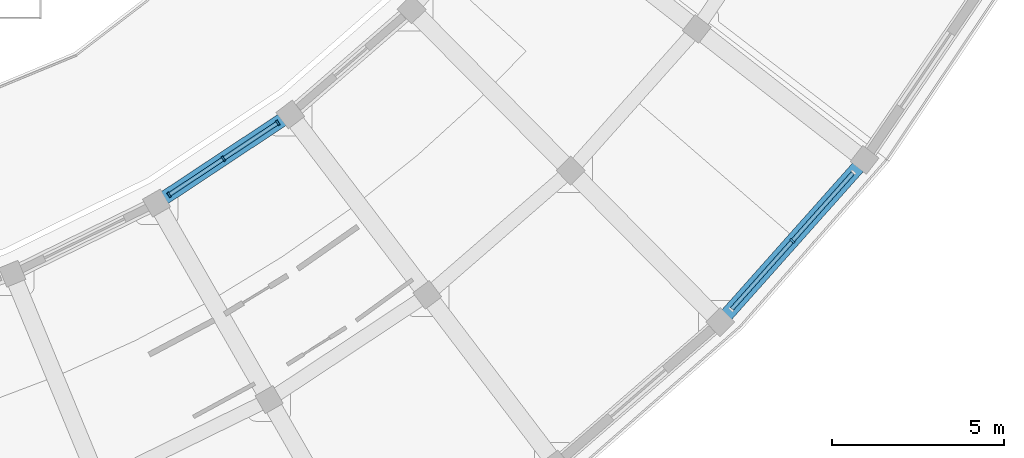
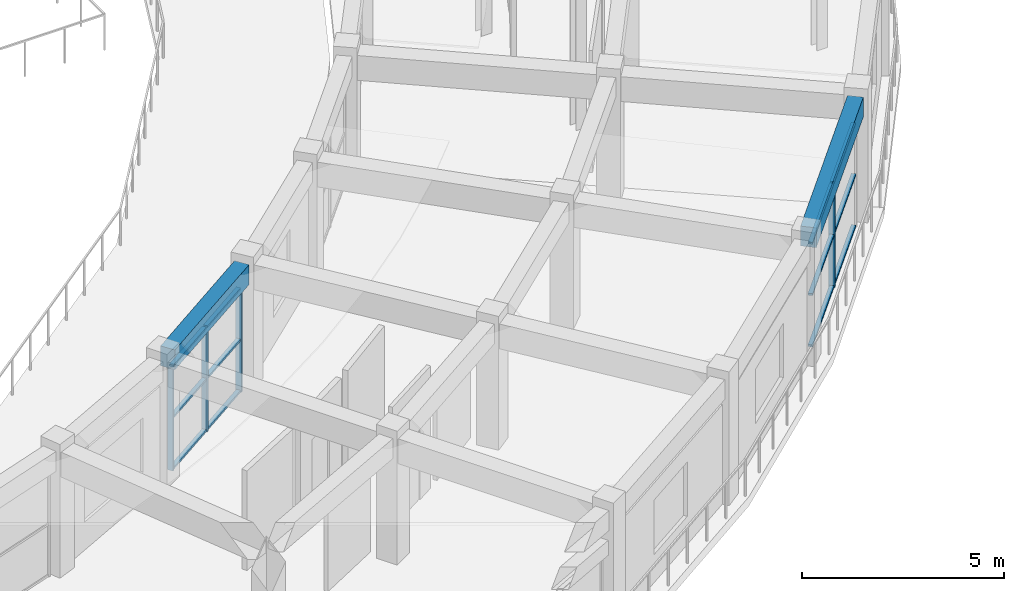
# One storey, part 20 of 83: 16 members, 2 beams, 2 elements without a shape of their own.
"""IFC4 building model written with IfcOpenShell, lengths in metres."""

from ifc_helpers import new_model, si_unit, direction, frame, origin, origin_2d, place, context, subcontext, project, spatial, rectangle, extrude, material, material_profile, profile_set, type_object, element, aggregate, save


model = new_model("IFC4")

# Units and contexts
model_context = context("Model", 3, precision=1e-05, world=origin(), true_north=direction((0.0, 1.0)))
body_context = subcontext(model_context, "Body", "Model", "MODEL_VIEW")
ifc_project = project(units=[si_unit("LENGTHUNIT", "METRE"), si_unit("AREAUNIT", "SQUARE_METRE"), si_unit("VOLUMEUNIT", "CUBIC_METRE"), si_unit("PLANEANGLEUNIT", "RADIAN"), si_unit("MASSUNIT", "GRAM", prefix="KILO")], contexts=[model_context])

# Site, building, storey
site_placement = place(None, origin())
site = spatial("IfcSite", under=ifc_project, at=site_placement, CompositionType="ELEMENT")
building_placement = place(site_placement, origin())
building = spatial("IfcBuilding", under=site, at=building_placement, Name="Saryqyr Civic Hall", CompositionType="ELEMENT")
storey_placement = place(building_placement, frame((0.0, 0.0, 9.14990234375)))
storey = spatial("IfcBuildingStorey", under=building, at=storey_placement, Name="L02", CompositionType="ELEMENT", Elevation=9.14990234375)

# Curtain wall, members
ifc_material_1 = material(Name="Anodised aluminium and triple low-E glass", Category="aluminium")
curtain_wall_type_1 = type_object("IfcCurtainWallType", Name="ENV-CW-STD-25", PredefinedType="NOTDEFINED", material=ifc_material_1)
curtain_wall_1_placement = place(storey_placement, origin())
curtain_wall_1 = element("IfcCurtainWall", 1, at=curtain_wall_1_placement, inside=storey, type_object=curtain_wall_type_1, Name="Curtain wall V5-CWI-L02-02", PredefinedType="NOTDEFINED")
ifc_material_2 = material(Name="Anodised aluminium", Category="aluminium")
ifc_material_profile_1 = material_profile(ifc_material_2, rectangle(XDim=0.06005859375, YDim=0.159912109375, at=origin_2d()), Name="ALU MULLION 60x160")
ifc_profile_set_1 = profile_set([ifc_material_profile_1], Name="Anodised aluminium")
member_type_1 = type_object("IfcMemberType", Name="ENV-CW-MUL-180", PredefinedType="MULLION", material=ifc_profile_set_1)
member_1_placement = place(storey_placement, frame((75.36083984375, 52.83154296875, 0.0), z_axis=(0.0, 0.0, 1.0), x_axis=(0.833756291383, 0.552132634953, 0.0)))
member_1 = element("IfcMember", 2, at=member_1_placement, type_object=member_type_1, Name="CW-25 mullion 1", PredefinedType="MULLION", context=body_context, shape_type="SweptSolid", body=[
    extrude(rectangle(XDim=0.06005859375, YDim=0.159912109375, at=origin_2d()), origin(), (0.0, 0.0, 1.0), 3.1650390625),
])
member_2_placement = place(storey_placement, frame((76.945068359375, 53.880615234375, 0.0), z_axis=(0.0, 0.0, 1.0), x_axis=(0.833756291383, 0.552132634953, 0.0)))
member_2 = element("IfcMember", 3, at=member_2_placement, type_object=member_type_1, Name="CW-25 mullion 2", PredefinedType="MULLION", context=body_context, shape_type="SweptSolid", body=[
    extrude(rectangle(XDim=0.06005859375, YDim=0.159912109375, at=origin_2d()), origin(), (0.0, 0.0, 1.0), 3.1650390625),
])
member_3_placement = place(storey_placement, frame((78.529052734375, 54.9296875, 0.0), z_axis=(0.0, 0.0, 1.0), x_axis=(0.833756291383, 0.552132634953, 0.0)))
member_3 = element("IfcMember", 4, at=member_3_placement, type_object=member_type_1, Name="CW-25 mullion 3", PredefinedType="MULLION", context=body_context, shape_type="SweptSolid", body=[
    extrude(rectangle(XDim=0.06005859375, YDim=0.159912109375, at=origin_2d()), origin(), (0.0, 0.0, 1.0), 3.1650390625),
])

# Curtain wall, member
curtain_wall_type_2 = type_object("IfcCurtainWallType", Name="ENV-CW-STD-39", PredefinedType="NOTDEFINED", material=ifc_material_1)
curtain_wall_2_placement = place(storey_placement, origin())
curtain_wall_2 = element("IfcCurtainWall", 5, at=curtain_wall_2_placement, inside=storey, type_object=curtain_wall_type_2, Name="Curtain wall V5-CWO-L02-04", PredefinedType="NOTDEFINED")
member_4_placement = place(storey_placement, frame((93.521728515625, 51.486083984375, 0.0), z_axis=(0.0, 0.0, 1.0), x_axis=(-0.664934159467, -0.746901977219, 0.0)))
member_4 = element("IfcMember", 6, at=member_4_placement, type_object=member_type_1, Name="CW-39 mullion 2", PredefinedType="MULLION", context=body_context, shape_type="SweptSolid", body=[
    extrude(rectangle(XDim=0.06005859375, YDim=0.159912109375, at=origin_2d()), origin(), (0.0, 0.0, 1.0), 3.1650390625),
])

# Member
ifc_material_profile_2 = material_profile(ifc_material_2, rectangle(XDim=0.1201171875, YDim=0.06005859375, at=origin_2d()), Name="ALU TRANSOM 120x60")
ifc_profile_set_2 = profile_set([ifc_material_profile_2], Name="Anodised aluminium")
member_type_2 = type_object("IfcMemberType", Name="ENV-CW-TRN-150", PredefinedType="USERDEFINED", material=ifc_profile_set_2)
member_5_placement = place(storey_placement, frame((75.385986328125, 52.84814453125, 0.030029296875), z_axis=(0.833740862304, 0.552155933161, 0.0), x_axis=(-0.552155933161, 0.833740862304, 0.0)))
member_5 = element("IfcMember", 7, at=member_5_placement, type_object=member_type_2, Name="CW-25 transom 1.1", ObjectType="TRANSOM", PredefinedType="USERDEFINED", context=body_context, shape_type="SweptSolid", body=[
    extrude(rectangle(XDim=0.1201171875, YDim=0.06005859375, at=origin_2d()), origin(), (0.0, 0.0, 1.0), 1.83984375),
])

member_6_placement = place(storey_placement, frame((75.385986328125, 52.84814453125, 1.58203125), z_axis=(0.833740862304, 0.552155933161, 0.0), x_axis=(-0.552155933161, 0.833740862304, 0.0)))
member_6 = element("IfcMember", 8, at=member_6_placement, type_object=member_type_2, Name="CW-25 transom 1.2", ObjectType="TRANSOM", PredefinedType="USERDEFINED", context=body_context, shape_type="SweptSolid", body=[
    extrude(rectangle(XDim=0.1201171875, YDim=0.06005859375, at=origin_2d()), origin(), (0.0, 0.0, 1.0), 1.83984375),
])

member_7_placement = place(storey_placement, frame((75.385986328125, 52.84814453125, 3.135009765625), z_axis=(0.833740862304, 0.552155933161, 0.0), x_axis=(-0.552155933161, 0.833740862304, 0.0)))
member_7 = element("IfcMember", 9, at=member_7_placement, type_object=member_type_2, Name="CW-25 transom 1.3", ObjectType="TRANSOM", PredefinedType="USERDEFINED", context=body_context, shape_type="SweptSolid", body=[
    extrude(rectangle(XDim=0.1201171875, YDim=0.06005859375, at=origin_2d()), origin(), (0.0, 0.0, 1.0), 1.83984375),
])

member_8_placement = place(storey_placement, frame((76.969970703125, 53.897216796875, 0.030029296875), z_axis=(0.833740862304, 0.552155933161, 0.0), x_axis=(-0.552155933161, 0.833740862304, 0.0)))
member_8 = element("IfcMember", 10, at=member_8_placement, type_object=member_type_2, Name="CW-25 transom 2.1", ObjectType="TRANSOM", PredefinedType="USERDEFINED", context=body_context, shape_type="SweptSolid", body=[
    extrude(rectangle(XDim=0.1201171875, YDim=0.06005859375, at=origin_2d()), origin(), (0.0, 0.0, 1.0), 1.83984375),
])

member_9_placement = place(storey_placement, frame((76.969970703125, 53.897216796875, 1.58203125), z_axis=(0.833740862304, 0.552155933161, 0.0), x_axis=(-0.552155933161, 0.833740862304, 0.0)))
member_9 = element("IfcMember", 11, at=member_9_placement, type_object=member_type_2, Name="CW-25 transom 2.2", ObjectType="TRANSOM", PredefinedType="USERDEFINED", context=body_context, shape_type="SweptSolid", body=[
    extrude(rectangle(XDim=0.1201171875, YDim=0.06005859375, at=origin_2d()), origin(), (0.0, 0.0, 1.0), 1.83984375),
])

member_10_placement = place(storey_placement, frame((76.969970703125, 53.897216796875, 3.135009765625), z_axis=(0.833740862304, 0.552155933161, 0.0), x_axis=(-0.552155933161, 0.833740862304, 0.0)))
member_10 = element("IfcMember", 12, at=member_10_placement, type_object=member_type_2, Name="CW-25 transom 2.3", ObjectType="TRANSOM", PredefinedType="USERDEFINED", context=body_context, shape_type="SweptSolid", body=[
    extrude(rectangle(XDim=0.1201171875, YDim=0.06005859375, at=origin_2d()), origin(), (0.0, 0.0, 1.0), 1.83984375),
])

aggregate(curtain_wall_1, [member_1, member_2, member_3, member_5, member_6, member_7, member_8, member_9, member_10])

member_11_placement = place(storey_placement, frame((95.283203125, 53.464599609375, 0.030029296875), z_axis=(-0.664948037302, -0.746889622159, 0.0), x_axis=(0.746889622159, -0.664948037302, 0.0)))
member_11 = element("IfcMember", 13, at=member_11_placement, type_object=member_type_2, Name="CW-39 transom 1.1", ObjectType="TRANSOM", PredefinedType="USERDEFINED", context=body_context, shape_type="SweptSolid", body=[
    extrude(rectangle(XDim=0.1201171875, YDim=0.06005859375, at=origin_2d()), origin(), (0.0, 0.0, 1.0), 2.618896484375),
])

member_12_placement = place(storey_placement, frame((95.283203125, 53.464599609375, 1.58203125), z_axis=(-0.664948037302, -0.746889622159, 0.0), x_axis=(0.746889622159, -0.664948037302, 0.0)))
member_12 = element("IfcMember", 14, at=member_12_placement, type_object=member_type_2, Name="CW-39 transom 1.2", ObjectType="TRANSOM", PredefinedType="USERDEFINED", context=body_context, shape_type="SweptSolid", body=[
    extrude(rectangle(XDim=0.1201171875, YDim=0.06005859375, at=origin_2d()), origin(), (0.0, 0.0, 1.0), 2.618896484375),
])

member_13_placement = place(storey_placement, frame((95.283203125, 53.464599609375, 3.135009765625), z_axis=(-0.664948037302, -0.746889622159, 0.0), x_axis=(0.746889622159, -0.664948037302, 0.0)))
member_13 = element("IfcMember", 15, at=member_13_placement, type_object=member_type_2, Name="CW-39 transom 1.3", ObjectType="TRANSOM", PredefinedType="USERDEFINED", context=body_context, shape_type="SweptSolid", body=[
    extrude(rectangle(XDim=0.1201171875, YDim=0.06005859375, at=origin_2d()), origin(), (0.0, 0.0, 1.0), 2.618896484375),
])

member_14_placement = place(storey_placement, frame((93.501708984375, 51.463623046875, 0.030029296875), z_axis=(-0.664948037302, -0.746889622159, 0.0), x_axis=(0.746889622159, -0.664948037302, 0.0)))
member_14 = element("IfcMember", 16, at=member_14_placement, type_object=member_type_2, Name="CW-39 transom 2.1", ObjectType="TRANSOM", PredefinedType="USERDEFINED", context=body_context, shape_type="SweptSolid", body=[
    extrude(rectangle(XDim=0.1201171875, YDim=0.06005859375, at=origin_2d()), origin(), (0.0, 0.0, 1.0), 2.618896484375),
])

member_15_placement = place(storey_placement, frame((93.501708984375, 51.463623046875, 1.58203125), z_axis=(-0.664948037302, -0.746889622159, 0.0), x_axis=(0.746889622159, -0.664948037302, 0.0)))
member_15 = element("IfcMember", 17, at=member_15_placement, type_object=member_type_2, Name="CW-39 transom 2.2", ObjectType="TRANSOM", PredefinedType="USERDEFINED", context=body_context, shape_type="SweptSolid", body=[
    extrude(rectangle(XDim=0.1201171875, YDim=0.06005859375, at=origin_2d()), origin(), (0.0, 0.0, 1.0), 2.618896484375),
])

member_16_placement = place(storey_placement, frame((93.501708984375, 51.463623046875, 3.135009765625), z_axis=(-0.664948037302, -0.746889622159, 0.0), x_axis=(0.746889622159, -0.664948037302, 0.0)))
member_16 = element("IfcMember", 18, at=member_16_placement, type_object=member_type_2, Name="CW-39 transom 2.3", ObjectType="TRANSOM", PredefinedType="USERDEFINED", context=body_context, shape_type="SweptSolid", body=[
    extrude(rectangle(XDim=0.1201171875, YDim=0.06005859375, at=origin_2d()), origin(), (0.0, 0.0, 1.0), 2.618896484375),
])

aggregate(curtain_wall_2, [member_4, member_11, member_12, member_13, member_14, member_15, member_16])

# Beams
ifc_material_3 = material(Name="Concrete C35/45", Category="concrete")
ifc_material_profile_3 = material_profile(ifc_material_3, rectangle(XDim=0.39990234375, YDim=0.60009765625, at=origin_2d()), Name="RC 400x600")
ifc_profile_set_3 = profile_set([ifc_material_profile_3], Name="Concrete C35/45")
beam_type = type_object("IfcBeamType", Name="STR-BM-RC400x600-EXT", PredefinedType="BEAM", material=ifc_profile_set_3)
beam_1_placement = place(storey_placement, frame((75.22509765625, 52.74169921875, 3.489990234375), z_axis=(0.833757941264, 0.552130143516, 0.0), x_axis=(-0.552130143516, 0.833757941264, 0.0)))
element("IfcBeam", 19, at=beam_1_placement, inside=storey, type_object=beam_type, Name="Beam V5-CBM-IN02-L02", PredefinedType="BEAM", context=body_context, shape_type="SweptSolid", body=[
    extrude(rectangle(XDim=0.39990234375, YDim=0.60009765625, at=origin_2d()), origin(), (0.0, 0.0, 1.0), 4.12548828125),
])
beam_2_placement = place(storey_placement, frame((91.6005859375, 49.328125, 3.489990234375), z_axis=(0.664935334845, 0.74690093083, 0.0), x_axis=(-0.74690093083, 0.664935334845, 0.0)))
element("IfcBeam", 20, at=beam_2_placement, inside=storey, type_object=beam_type, Name="Beam V5-CBM-OUT04-L02", PredefinedType="BEAM", context=body_context, shape_type="SweptSolid", body=[
    extrude(rectangle(XDim=0.39990234375, YDim=0.60009765625, at=origin_2d()), origin(), (0.0, 0.0, 1.0), 5.7783203125),
])

save(model, "model.ifc")
